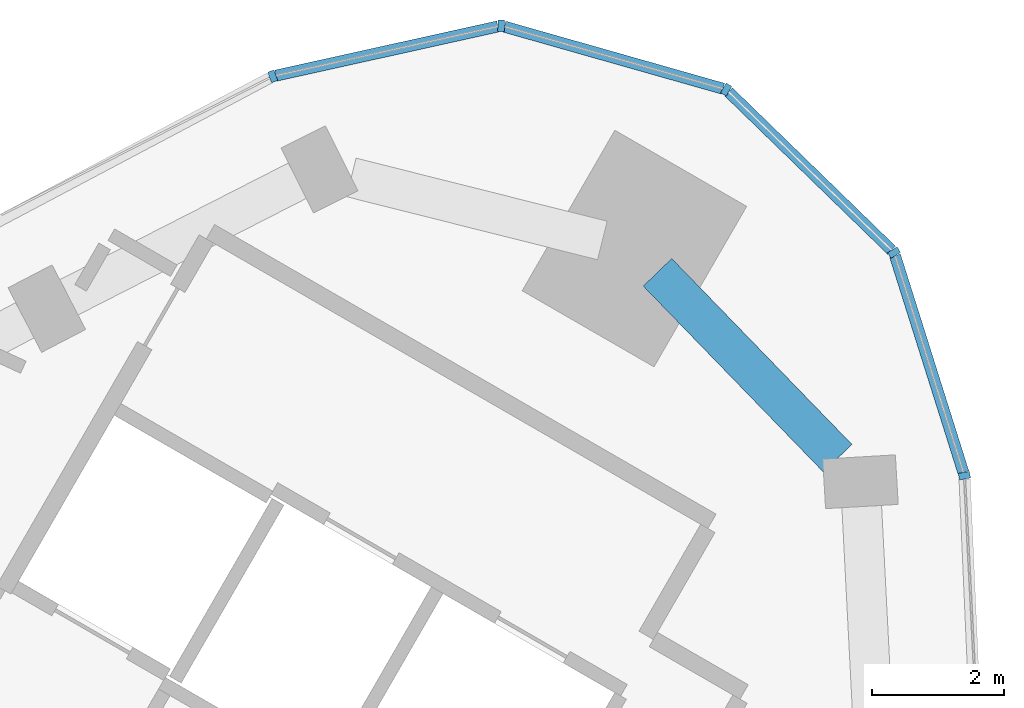
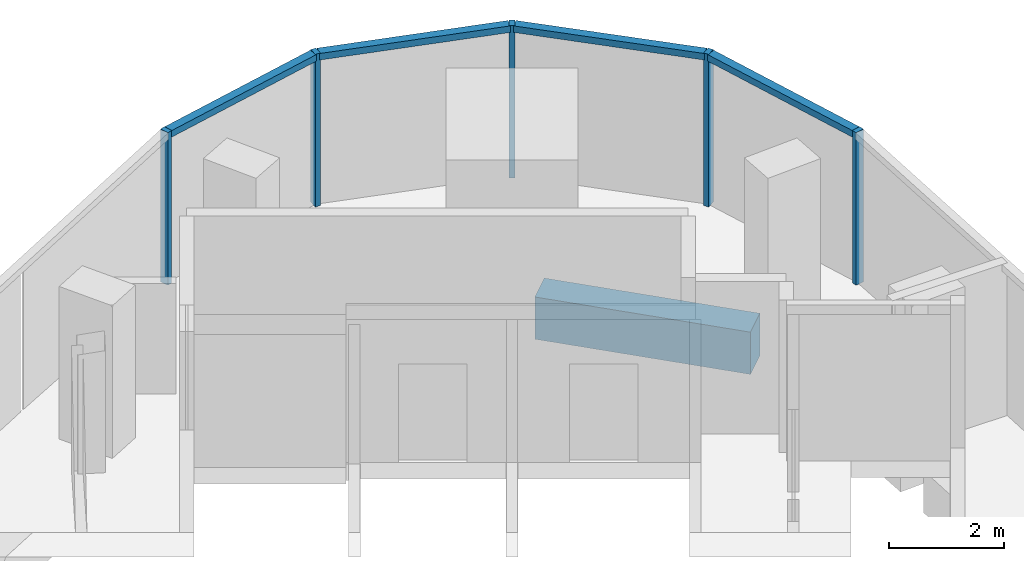
# One storey, part 5 of 11: 9 members, 1 beam, 2 elements without a shape of their own.
"""IFC4 building model written with IfcOpenShell, lengths in metres."""

from ifc_helpers import new_model, si_unit, direction, frame, origin, origin_2d, place, context, subcontext, project, spatial, rectangle, extrude, material, material_profile, profile_set, type_object, element, aggregate, save


model = new_model("IFC4")

# Units and contexts
model_context = context("Model", 3, precision=1e-05, world=origin(), true_north=direction((0.0, 1.0)))
body_context = subcontext(model_context, "Body", "Model", "MODEL_VIEW")
ifc_project = project(units=[si_unit("LENGTHUNIT", "METRE"), si_unit("AREAUNIT", "SQUARE_METRE"), si_unit("VOLUMEUNIT", "CUBIC_METRE"), si_unit("PLANEANGLEUNIT", "RADIAN"), si_unit("MASSUNIT", "GRAM", prefix="KILO")], contexts=[model_context])

# Site, building, storey
site_placement = place(None, origin())
site = spatial("IfcSite", under=ifc_project, at=site_placement, CompositionType="ELEMENT")
building_placement = place(site_placement, origin())
building = spatial("IfcBuilding", under=site, at=building_placement, Name="Tamra Quay Hotel Tower", CompositionType="ELEMENT")
storey_placement = place(building_placement, frame((0.0, 0.0, 225.0)))
storey = spatial("IfcBuildingStorey", under=building, at=storey_placement, Name="L56", CompositionType="ELEMENT", Elevation=225.0)

# Curtain wall, members
ifc_material_1 = material(Name="Aluminium 6063 anodised dark grey", Category="aluminium")
curtain_wall_type_1 = type_object("IfcCurtainWallType", Name="CW1 CURTAIN WALL", PredefinedType="NOTDEFINED", material=ifc_material_1)
curtain_wall_1_placement = place(storey_placement, origin())
curtain_wall_1 = element("IfcCurtainWall", 1, at=curtain_wall_1_placement, inside=storey, type_object=curtain_wall_type_1, Name="CW1 east face L56", PredefinedType="NOTDEFINED")
ifc_material_profile_1 = material_profile(ifc_material_1, rectangle(XDim=0.169921875, YDim=0.10009765625, at=origin_2d()), Name="MULLION 100X170")
ifc_profile_set_1 = profile_set([ifc_material_profile_1], Name="Aluminium 6063 anodised dark grey")
member_type_1 = type_object("IfcMemberType", Name="MULLION CW1 Z5", PredefinedType="MULLION", material=ifc_profile_set_1)
member_1_placement = place(storey_placement, frame((17.69677734375, 18.5830078125, 0.0), z_axis=(0.0, 0.0, 1.0), x_axis=(0.984105321789, 0.177585797933, 0.0)))
member_1 = element("IfcMember", 2, at=member_1_placement, type_object=member_type_1, Name="CW1 mullion L56.E.9", PredefinedType="MULLION", context=body_context, shape_type="SweptSolid", body=[
    extrude(rectangle(XDim=0.169921875, YDim=0.10009765625, at=origin_2d()), origin(), (0.0, 0.0, 1.0), 3.25),
])
member_2_placement = place(storey_placement, frame((16.633056640625, 21.9541015625, 0.0), z_axis=(0.0, 0.0, 1.0), x_axis=(0.851044298206, 0.525093898736, 0.0)))
member_2 = element("IfcMember", 3, at=member_2_placement, type_object=member_type_1, Name="CW1 mullion L56.E.10", PredefinedType="MULLION", context=body_context, shape_type="SweptSolid", body=[
    extrude(rectangle(XDim=0.169921875, YDim=0.10009765625, at=origin_2d()), origin(), (0.0, 0.0, 1.0), 3.25),
])
member_3_placement = place(storey_placement, frame((14.09716796875, 24.4169921875, 0.0), z_axis=(0.0, 0.0, 1.0), x_axis=(0.5, 0.866025403784, 0.0)))
member_3 = element("IfcMember", 4, at=member_3_placement, type_object=member_type_1, Name="CW1 mullion L56.E.11", PredefinedType="MULLION", context=body_context, shape_type="SweptSolid", body=[
    extrude(rectangle(XDim=0.169921875, YDim=0.10009765625, at=origin_2d()), origin(), (0.0, 0.0, 1.0), 3.25),
])
member_4_placement = place(storey_placement, frame((10.6962890625, 25.3818359375, 0.0), z_axis=(0.0, 0.0, 1.0), x_axis=(0.029222506575, 0.999572931361, 0.0)))
member_4 = element("IfcMember", 5, at=member_4_placement, type_object=member_type_1, Name="CW1 mullion L56.E.12", PredefinedType="MULLION", context=body_context, shape_type="SweptSolid", body=[
    extrude(rectangle(XDim=0.169921875, YDim=0.10009765625, at=origin_2d()), origin(), (0.0, 0.0, 1.0), 3.25),
])

# Curtain wall, member
curtain_wall_type_2 = type_object("IfcCurtainWallType", Name="CW2 CURTAIN WALL", PredefinedType="NOTDEFINED", material=ifc_material_1)
curtain_wall_2_placement = place(storey_placement, origin())
curtain_wall_2 = element("IfcCurtainWall", 6, at=curtain_wall_2_placement, inside=storey, type_object=curtain_wall_type_2, Name="CW2 north-west face L56", PredefinedType="NOTDEFINED")
ifc_material_profile_2 = material_profile(ifc_material_1, rectangle(XDim=0.169921875, YDim=0.10009765625, at=origin_2d()), Name="MULLION 100X170")
ifc_profile_set_2 = profile_set([ifc_material_profile_2], Name="Aluminium 6063 anodised dark grey")
member_type_2 = type_object("IfcMemberType", Name="MULLION CW2 Z5", PredefinedType="MULLION", material=ifc_profile_set_2)
member_5_placement = place(storey_placement, frame((7.244873046875, 24.617431640625, 0.0), z_axis=(0.0, 0.0, 1.0), x_axis=(-0.338258848533, 0.941053107635, 0.0)))
member_5 = element("IfcMember", 7, at=member_5_placement, type_object=member_type_2, Name="CW2 mullion L56.NW.1", PredefinedType="MULLION", context=body_context, shape_type="SweptSolid", body=[
    extrude(rectangle(XDim=0.169921875, YDim=0.10009765625, at=origin_2d()), origin(), (0.0, 0.0, 1.0), 3.25),
])
aggregate(curtain_wall_2, [member_5])

# Beam
ifc_material_2 = material(Name="Concrete M60", Category="concrete")
ifc_material_profile_3 = material_profile(ifc_material_2, rectangle(XDim=0.60009765625, YDim=0.89990234375, at=origin_2d()), Name="SPANDREL BEAM RC 600x900")
ifc_profile_set_3 = profile_set([ifc_material_profile_3], Name="Concrete M60")
beam_type = type_object("IfcBeamType", Name="SPANDREL BEAM RC 600x900", PredefinedType="SPANDREL", material=ifc_profile_set_3)
beam_placement = place(storey_placement, frame((15.781005859375, 18.846435546875, -0.800048828125), z_axis=(-0.69594408001, 0.718095980701, 0.0), x_axis=(-0.718095980701, -0.69594408001, 0.0)))
element("IfcBeam", 8, at=beam_placement, inside=storey, type_object=beam_type, Name="BM-SP5-008-L56", PredefinedType="SPANDREL", context=body_context, shape_type="SweptSolid", body=[
    extrude(rectangle(XDim=0.60009765625, YDim=0.89990234375, at=origin_2d()), origin(), (0.0, 0.0, 1.0), 3.91259765625),
])

# Member
ifc_material_profile_4 = material_profile(ifc_material_1, rectangle(XDim=0.169921875, YDim=0.139892578125, at=origin_2d()), Name="TRANSOM 170X140")
ifc_profile_set_4 = profile_set([ifc_material_profile_4], Name="Aluminium 6063 anodised dark grey")
member_type_3 = type_object("IfcMemberType", Name="TRANSOM CW1 Z5", PredefinedType="USERDEFINED", material=ifc_profile_set_4)
member_6_placement = place(storey_placement, frame((17.681884765625, 18.630615234375, 3.179931640625), z_axis=(-0.30092047073, 0.953649238607, 0.0), x_axis=(-0.953649238607, -0.30092047073, 0.0)))
member_6 = element("IfcMember", 9, at=member_6_placement, type_object=member_type_3, Name="CW1 transom L56.E.9", ObjectType="TRANSOM", PredefinedType="USERDEFINED", context=body_context, shape_type="SweptSolid", body=[
    extrude(rectangle(XDim=0.169921875, YDim=0.139892578125, at=origin_2d()), origin(), (0.0, 0.0, 1.0), 3.43505859375),
])

member_7_placement = place(storey_placement, frame((16.59716796875, 21.989013671875, 3.179931640625), z_axis=(-0.717337227603, 0.696726131199, 0.0), x_axis=(-0.696726131199, -0.717337227603, 0.0)))
member_7 = element("IfcMember", 10, at=member_7_placement, type_object=member_type_3, Name="CW1 transom L56.E.10", ObjectType="TRANSOM", PredefinedType="USERDEFINED", context=body_context, shape_type="SweptSolid", body=[
    extrude(rectangle(XDim=0.169921875, YDim=0.139892578125, at=origin_2d()), origin(), (0.0, 0.0, 1.0), 3.43505859375),
])

member_8_placement = place(storey_placement, frame((14.049072265625, 24.4306640625, 3.179931640625), z_axis=(-0.962037198813, 0.272918354273, 0.0), x_axis=(-0.272918354273, -0.962037198813, 0.0)))
member_8 = element("IfcMember", 11, at=member_8_placement, type_object=member_type_3, Name="CW1 transom L56.E.11", ObjectType="TRANSOM", PredefinedType="USERDEFINED", context=body_context, shape_type="SweptSolid", body=[
    extrude(rectangle(XDim=0.169921875, YDim=0.139892578125, at=origin_2d()), origin(), (0.0, 0.0, 1.0), 3.43505859375),
])

member_9_placement = place(storey_placement, frame((10.6474609375, 25.37109375, 3.179931640625), z_axis=(-0.976332331622, -0.21627569958, 0.0), x_axis=(0.21627569958, -0.976332331622, 0.0)))
member_9 = element("IfcMember", 12, at=member_9_placement, type_object=member_type_3, Name="CW1 transom L56.E.12", ObjectType="TRANSOM", PredefinedType="USERDEFINED", context=body_context, shape_type="SweptSolid", body=[
    extrude(rectangle(XDim=0.169921875, YDim=0.139892578125, at=origin_2d()), origin(), (0.0, 0.0, 1.0), 3.43505859375),
])

aggregate(curtain_wall_1, [member_1, member_6, member_2, member_7, member_3, member_8, member_4, member_9])

save(model, "model.ifc")
